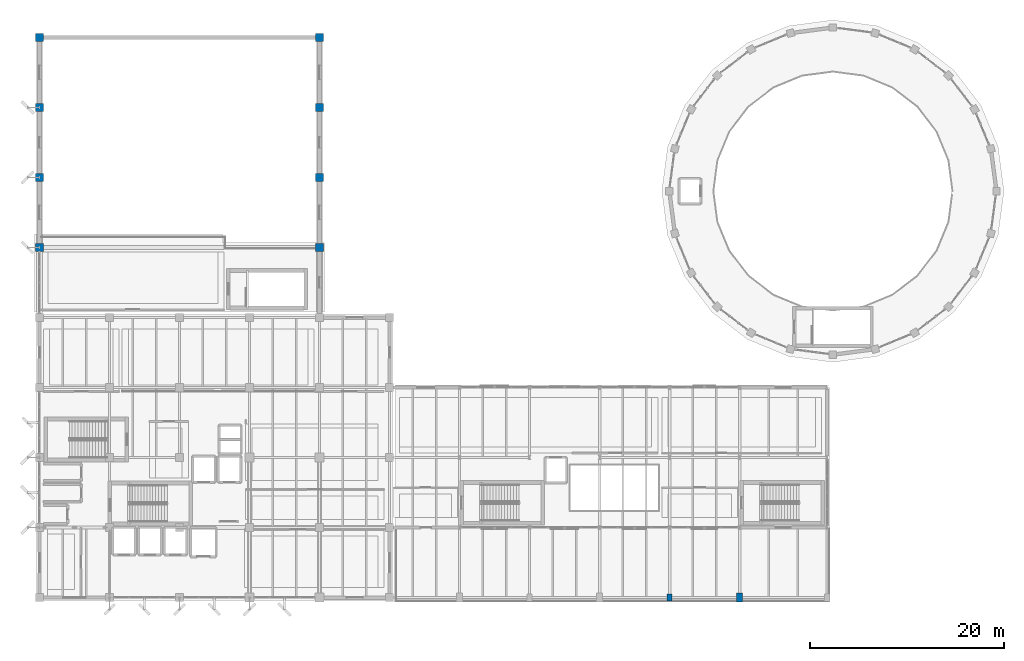
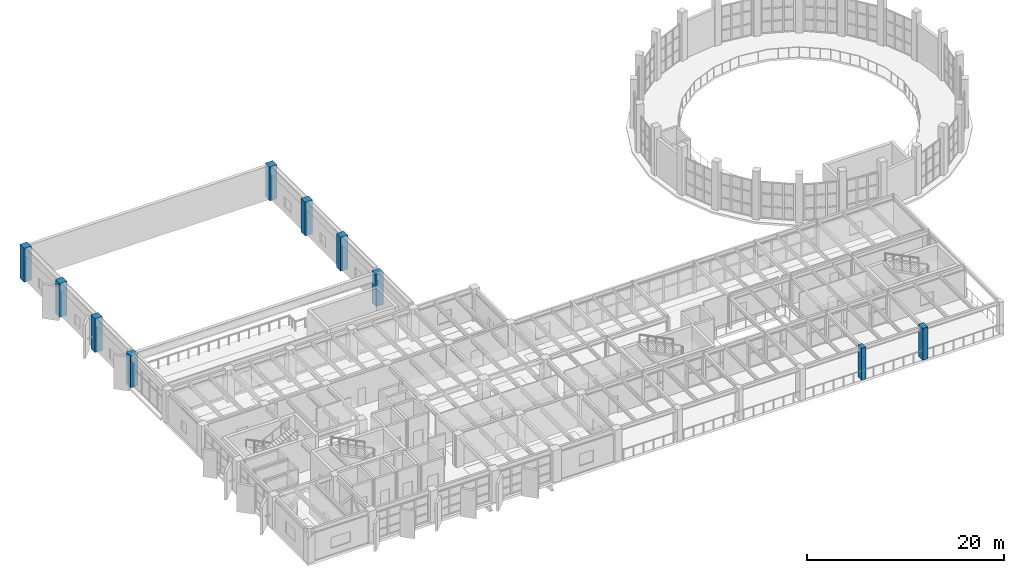
# One storey, part 3 of 59: 10 columns.
"""IFC4 building model written with IfcOpenShell, lengths in metres."""

from ifc_helpers import new_model, si_unit, direction, frame, origin, origin_2d, place, context, subcontext, project, spatial, rectangle, extrude, material, material_profile, profile_set, type_object, element, save


model = new_model("IFC4")

# Units and contexts
model_context = context("Model", 3, precision=1e-05, world=origin(), true_north=direction((0.0, 1.0)))
body_context = subcontext(model_context, "Body", "Model", "MODEL_VIEW")
ifc_project = project(units=[si_unit("LENGTHUNIT", "METRE"), si_unit("AREAUNIT", "SQUARE_METRE"), si_unit("VOLUMEUNIT", "CUBIC_METRE"), si_unit("PLANEANGLEUNIT", "RADIAN"), si_unit("MASSUNIT", "GRAM", prefix="KILO")], contexts=[model_context])

# Site, building, storey
site_placement = place(None, origin())
site = spatial("IfcSite", under=ifc_project, at=site_placement, CompositionType="ELEMENT")
building_placement = place(site_placement, origin())
building = spatial("IfcBuilding", under=site, at=building_placement, Name="Kandorven Conservatory and Botanical Research Centre", CompositionType="ELEMENT")
storey_placement = place(building_placement, frame((0.0, 0.0, 4.800048828125)))
storey = spatial("IfcBuildingStorey", under=building, at=storey_placement, Name="L01", CompositionType="ELEMENT", Elevation=4.800048828125)

# Columns
ifc_material_1 = material(Name="Concrete C40/50 (M50)", Category="concrete")
ifc_material_profile_1 = material_profile(ifc_material_1, rectangle(XDim=0.5, YDim=0.75, at=origin_2d()))
ifc_profile_set_1 = profile_set([ifc_material_profile_1], Name="Concrete C40/50 (M50)")
column_type_1 = type_object("IfcColumnType", Name="Col_AC-01", PredefinedType="PILASTER", material=ifc_profile_set_1)
column_1_placement = place(storey_placement, frame((70.800048828125, 6.0, 0.0), z_axis=(0.0, 0.0, 1.0), x_axis=(1.0, 0.0, 0.0)))
element("IfcColumn", 1, at=column_1_placement, inside=storey, type_object=column_type_1, Name="Column AC-01 VIS L01 (5,1)", PredefinedType="PILASTER", context=body_context, shape_type="SweptSolid", body=[
    extrude(rectangle(XDim=0.5, YDim=0.75, at=origin_2d()), origin(), (0.0, 0.0, 1.0), 3.949951171875),
])
ifc_material_2 = material(Name="Concrete C40/50 (M50)", Category="concrete")
ifc_material_profile_2 = material_profile(ifc_material_2, rectangle(XDim=0.60009765625, YDim=0.89990234375, at=origin_2d()))
ifc_profile_set_2 = profile_set([ifc_material_profile_2], Name="Concrete C40/50 (M50)")
column_type_2 = type_object("IfcColumnType", Name="Col_AC-02", PredefinedType="PILASTER", material=ifc_profile_set_2)
column_2_placement = place(storey_placement, frame((78.0, 6.0, 0.0), z_axis=(0.0, 0.0, 1.0), x_axis=(1.0, 0.0, 0.0)))
element("IfcColumn", 2, at=column_2_placement, inside=storey, type_object=column_type_2, Name="Column AC-02 VIS L01 (6,1)", PredefinedType="PILASTER", context=body_context, shape_type="SweptSolid", body=[
    extrude(rectangle(XDim=0.60009765625, YDim=0.89990234375, at=origin_2d()), origin(), (0.0, 0.0, 1.0), 3.949951171875),
])
ifc_material_3 = material(Name="Concrete C40/50 (M50)", Category="concrete")
ifc_material_profile_3 = material_profile(ifc_material_3, rectangle(XDim=0.85009765625, YDim=0.85009765625, at=origin_2d()))
ifc_profile_set_3 = profile_set([ifc_material_profile_3], Name="Concrete C40/50 (M50)")
column_type_3 = type_object("IfcColumnType", Name="Col_TC-02", PredefinedType="COLUMN", material=ifc_profile_set_3)
column_3_placement = place(storey_placement, frame((6.0, 42.0, 0.0), z_axis=(0.0, 0.0, 1.0), x_axis=(1.0, 0.0, 0.0)))
element("IfcColumn", 3, at=column_3_placement, inside=storey, type_object=column_type_3, Name="Auditorium portal column TC-02 L01", PredefinedType="COLUMN", context=body_context, shape_type="SweptSolid", body=[
    extrude(rectangle(XDim=0.85009765625, YDim=0.85009765625, at=origin_2d()), origin(), (0.0, 0.0, 1.0), 3.9599609375),
])
for number, where, z_axis, x_axis, name in (
    (4, (6.0, 49.199951171875, 0.0), (0.0, 0.0, 1.0), (1.0, 0.0, 0.0), "Auditorium portal column TC-02 L01"),
    (5, (6.0, 56.39990234375, 0.0), (0.0, 0.0, 1.0), (1.0, 0.0, 0.0), "Auditorium portal column TC-02 L01"),
    (6, (6.0, 63.60009765625, 0.0), (0.0, 0.0, 1.0), (1.0, 0.0, 0.0), "Auditorium portal column TC-02 L01"),
):
    element("IfcColumn", number, at=place(storey_placement, frame(where, z_axis=z_axis, x_axis=x_axis)), inside=storey, type_object=column_type_3, Name=name, PredefinedType="COLUMN", context=body_context, shape_type="SweptSolid", body=[
        extrude(rectangle(XDim=0.85009765625, YDim=0.85009765625, at=origin_2d()), origin(), (0.0, 0.0, 1.0), 4.199951171875),
    ])
column_4_placement = place(storey_placement, frame((34.800048828125, 42.0, 0.0), z_axis=(0.0, 0.0, 1.0), x_axis=(1.0, 0.0, 0.0)))
element("IfcColumn", 7, at=column_4_placement, inside=storey, type_object=column_type_3, Name="Auditorium portal column TC-02 L01", PredefinedType="COLUMN", context=body_context, shape_type="SweptSolid", body=[
    extrude(rectangle(XDim=0.85009765625, YDim=0.85009765625, at=origin_2d()), origin(), (0.0, 0.0, 1.0), 3.9599609375),
])
for number, where, z_axis, x_axis, name in (
    (8, (34.800048828125, 49.199951171875, 0.0), (0.0, 0.0, 1.0), (1.0, 0.0, 0.0), "Auditorium portal column TC-02 L01"),
    (9, (34.800048828125, 56.39990234375, 0.0), (0.0, 0.0, 1.0), (1.0, 0.0, 0.0), "Auditorium portal column TC-02 L01"),
    (10, (34.800048828125, 63.60009765625, 0.0), (0.0, 0.0, 1.0), (1.0, 0.0, 0.0), "Auditorium portal column TC-02 L01"),
):
    element("IfcColumn", number, at=place(storey_placement, frame(where, z_axis=z_axis, x_axis=x_axis)), inside=storey, type_object=column_type_3, Name=name, PredefinedType="COLUMN", context=body_context, shape_type="SweptSolid", body=[
        extrude(rectangle(XDim=0.85009765625, YDim=0.85009765625, at=origin_2d()), origin(), (0.0, 0.0, 1.0), 4.199951171875),
    ])

save(model, "model.ifc")
